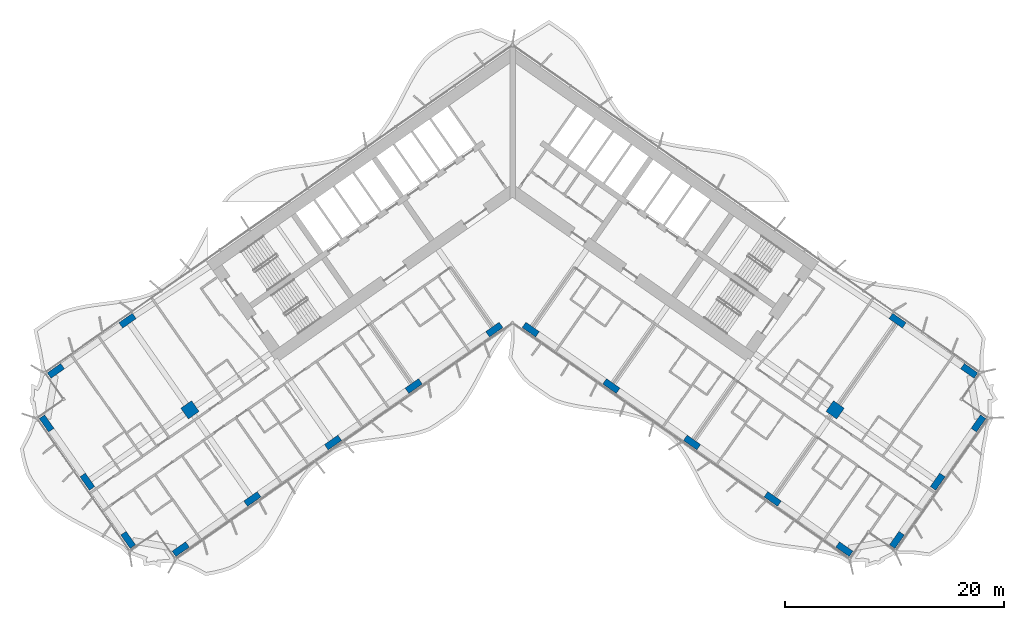
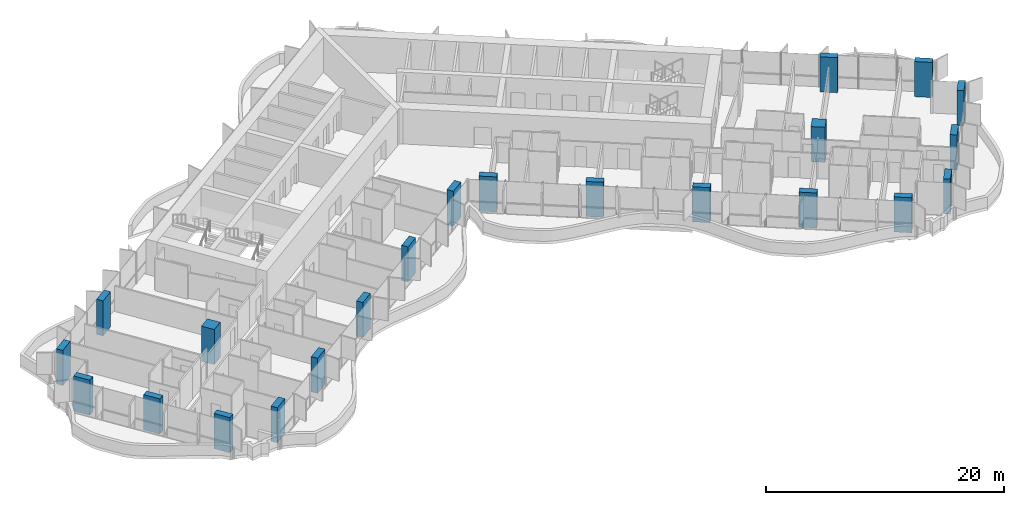
# One storey, part 1 of 25: 22 columns.
"""IFC4 building model written with IfcOpenShell, lengths in metres."""

import ifcopenshell
import ifcopenshell.guid

model = None  # the IFC model being written
_history = None  # IfcOwnerHistory: only IFC2X3 demands one
_inside = {}  # id of a spatial element -> (the spatial element, [elements in it])
_under = {}  # id of a project, library or spatial element -> (it, [spatial elements below it])
_declared = {}  # id of a project -> (the project, [libraries it declares])
_typed = {}  # id of a type object -> (the type object, [elements of that type])
_made_of = {}  # id of a material, layer set ... -> (it, [elements and type objects made of it])


def new_model(schema):
    """Start an empty IFC model of exactly this schema.

    Asked for "IFC4X3", IfcOpenShell would pick the latest addendum, in which some entities
    have other attributes; the version numbers below select the first issue.
    IFC2X3 requires an IfcOwnerHistory on every rooted entity: one is made here for all.
    """
    global model, _history
    if schema == "IFC4X3":
        model = ifcopenshell.file(schema_version=(4, 3, 0, 0))
    else:
        model = ifcopenshell.file(schema=schema)
    _inside.clear()
    _under.clear()
    _declared.clear()
    _typed.clear()
    _made_of.clear()
    _history = None
    if model.schema == "IFC2X3":
        org = make("IfcOrganization", Name="unknown")
        user = make(
            "IfcPersonAndOrganization",
            ThePerson=make("IfcPerson", FamilyName="unknown"),
            TheOrganization=org,
        )
        app = make(
            "IfcApplication",
            ApplicationDeveloper=org,
            Version="unknown",
            ApplicationFullName="unknown",
            ApplicationIdentifier="unknown",
        )
        _history = make(
            "IfcOwnerHistory",
            OwningUser=user,
            OwningApplication=app,
            ChangeAction="ADDED",
            CreationDate=0,
        )
    return model


def make(cls, **values):
    """One entity of the class cls with the attributes given. An attribute that is None is left unset."""
    return model.create_entity(
        cls, **{name: value for name, value in values.items() if value is not None}
    )


def rooted(cls, **values):
    """An entity with a GlobalId (a new one), such as an element, a storey or a relation."""
    return make(cls, GlobalId=ifcopenshell.guid.new(), OwnerHistory=_history, **values)


def si_unit(unit_type, name, prefix=None):
    """IfcSIUnit, for example si_unit("LENGTHUNIT", "METRE", prefix="MILLI")."""
    return make("IfcSIUnit", UnitType=unit_type, Prefix=prefix, Name=name)


def assignment(units):
    """IfcUnitAssignment: the units of a project."""
    return None if units is None else make("IfcUnitAssignment", Units=units)


def point(xyz):
    """IfcCartesianPoint."""
    return None if xyz is None else make("IfcCartesianPoint", Coordinates=xyz)


def direction(xyz):
    """IfcDirection."""
    return None if xyz is None else make("IfcDirection", DirectionRatios=xyz)


def frame(location, z_axis=None, x_axis=None):
    """IfcAxis2Placement3D, a coordinate frame: its origin and axes. An axis left out is left unset."""
    return make(
        "IfcAxis2Placement3D",
        Location=point(location),
        Axis=direction(z_axis),
        RefDirection=direction(x_axis),
    )


def frame_2d(location, x_axis=None):
    """IfcAxis2Placement2D, a coordinate frame in the plane: its origin and x axis."""
    return make(
        "IfcAxis2Placement2D", Location=point(location), RefDirection=direction(x_axis)
    )


def origin():
    """The frame at (0, 0, 0) with its axes left unset."""
    return frame((0.0, 0.0, 0.0))


def origin_2d():
    """The frame at (0, 0) in the plane with its x axis left unset."""
    return frame_2d((0.0, 0.0))


def place(relative_to, where):
    """IfcLocalPlacement: puts the frame where relative to a parent placement (None: the world)."""
    return make(
        "IfcLocalPlacement", PlacementRelTo=relative_to, RelativePlacement=where
    )


def context(
    kind, dimensions, precision=None, world=None, true_north=None, identifier=None
):
    """IfcGeometricRepresentationContext, for example the 3D "Model" context."""
    return make(
        "IfcGeometricRepresentationContext",
        ContextIdentifier=identifier,
        ContextType=kind,
        CoordinateSpaceDimension=dimensions,
        Precision=precision,
        WorldCoordinateSystem=world,
        TrueNorth=true_north,
    )


def subcontext(parent, identifier, kind, view, scale=None):
    """IfcGeometricRepresentationSubContext, for example "Body" below "Model"."""
    return make(
        "IfcGeometricRepresentationSubContext",
        ContextIdentifier=identifier,
        ContextType=kind,
        ParentContext=parent,
        TargetScale=scale,
        TargetView=view,
    )


def project(units=None, contexts=None):
    """IfcProject with its units and contexts."""
    return rooted(
        "IfcProject",
        Name="project",
        RepresentationContexts=contexts,
        UnitsInContext=assignment(units),
    )


def spatial(cls, under=None, at=None, **own):
    """A site, building, storey or space (cls), placed at a placement, below another one or the project."""
    s = rooted(cls, ObjectPlacement=at, **own)
    if under is not None:
        _under.setdefault(under.id(), (under, []))[1].append(s)
    return s


def profile(cls, at=None, kind="AREA", **sizes):
    """A parametric profile (cls). Its sizes go by their IFC names, for example OverallWidth=200.0."""
    return make(cls, ProfileType=kind, Position=at, **sizes)


def rectangle(**sizes):
    """IfcRectangleProfileDef."""
    return profile("IfcRectangleProfileDef", **sizes)


def extrude(swept, where, along, depth):
    """IfcExtrudedAreaSolid: the profile swept, set in the frame where, extruded along a direction by depth."""
    return make(
        "IfcExtrudedAreaSolid",
        SweptArea=swept,
        Position=where,
        ExtrudedDirection=direction(along),
        Depth=depth,
    )


def shape(context_of_items, identifier, shape_type, items):
    """IfcShapeRepresentation: the items that make up one representation, for example the "Body"."""
    return make(
        "IfcShapeRepresentation",
        ContextOfItems=context_of_items,
        RepresentationIdentifier=identifier,
        RepresentationType=shape_type,
        Items=items,
    )


def material(Name=None, Category=None):
    """IfcMaterial."""
    return make("IfcMaterial", Name=Name, Category=Category)


def material_profile(
    of_material, cross_section, Name=None, Category=None, Priority=None
):
    """IfcMaterialProfile: a cross section and its material."""
    return make(
        "IfcMaterialProfile",
        Name=Name,
        Material=of_material,
        Profile=cross_section,
        Priority=Priority,
        Category=Category,
    )


def profile_set(profiles, Name=None, composite=None):
    """IfcMaterialProfileSet."""
    return make(
        "IfcMaterialProfileSet",
        Name=Name,
        MaterialProfiles=profiles,
        CompositeProfile=composite,
    )


def made_of(thing, what):
    """Note that an element or type object is made of a material, layer set ...; save() writes the relation."""
    if what is not None:
        _made_of.setdefault(what.id(), (what, []))[1].append(thing)
    return thing


def type_object(cls, material=None, **own):
    """A type object (cls), such as IfcWallType, which elements share."""
    return made_of(rooted(cls, **own), material)


def element(
    cls,
    number,
    at=None,
    inside=None,
    cuts=None,
    type_object=None,
    material=None,
    context=None,
    identifier="Body",
    shape_type=None,
    held_by="IfcProductDefinitionShape",
    body=None,
    shapes=None,
    **own,
):
    """One element of the class cls, such as IfcWall. Its Tag is "e" and its number.

    at: its placement. inside: the storey or other place that contains it. cuts: it is an
    opening in that element (IfcRelVoidsElement). A single representation is given by context,
    identifier, shape_type and body (its items); several are given by shapes. held_by: the class
    of the entity that holds the representations. save() writes the other relations.
    """
    e = rooted(cls, Tag="e%d" % number, ObjectPlacement=at, **own)
    if body is not None:
        shapes = [shape(context, identifier, shape_type, body)]
    if shapes is not None:
        e.Representation = make(held_by, Representations=shapes)
    if inside is not None:
        _inside.setdefault(inside.id(), (inside, []))[1].append(e)
    if cuts is not None:
        rooted(
            "IfcRelVoidsElement", RelatingBuildingElement=cuts, RelatedOpeningElement=e
        )
    if type_object is not None:
        _typed.setdefault(type_object.id(), (type_object, []))[1].append(e)
    return made_of(e, material)


def aggregate(whole, parts):
    """IfcRelAggregates: a whole, such as a stair, and the parts it consists of."""
    return rooted("IfcRelAggregates", RelatingObject=whole, RelatedObjects=parts)


def save(model, path):
    """Write the relations noted so far, then the file.

    IfcRelAggregates (storeys below a building ...), IfcRelContainedInSpatialStructure (elements
    in a storey), IfcRelDefinesByType, IfcRelAssociatesMaterial and IfcRelDeclares: one each for
    every whole, place, type object, material and project.
    """
    for whole, parts in _under.values():
        aggregate(whole, parts)
    for where, things in _inside.values():
        rooted(
            "IfcRelContainedInSpatialStructure",
            RelatedElements=things,
            RelatingStructure=where,
        )
    for kind, things in _typed.values():
        rooted("IfcRelDefinesByType", RelatedObjects=things, RelatingType=kind)
    for what, things in _made_of.values():
        rooted("IfcRelAssociatesMaterial", RelatedObjects=things, RelatingMaterial=what)
    for by, libraries in _declared.values():
        rooted("IfcRelDeclares", RelatingContext=by, RelatedDefinitions=libraries)
    model.write(path)


model = new_model("IFC4")

# Units and contexts
model_context = context("Model", 3, precision=1e-05, world=origin(), true_north=direction((0.0, 1.0)))
body_context = subcontext(model_context, "Body", "Model", "MODEL_VIEW")
ifc_project = project(units=[si_unit("LENGTHUNIT", "METRE"), si_unit("AREAUNIT", "SQUARE_METRE"), si_unit("VOLUMEUNIT", "CUBIC_METRE"), si_unit("PLANEANGLEUNIT", "RADIAN"), si_unit("MASSUNIT", "GRAM", prefix="KILO")], contexts=[model_context])

# Site, building, storey
site_placement = place(None, origin())
site = spatial("IfcSite", under=ifc_project, at=site_placement, CompositionType="ELEMENT")
building_placement = place(site_placement, origin())
building = spatial("IfcBuilding", under=site, at=building_placement, Name="Tel Ilan Convention Tower", CompositionType="ELEMENT")
storey_placement = place(building_placement, frame((0.0, 0.0, 54.5)))
storey = spatial("IfcBuildingStorey", under=building, at=storey_placement, Name="L08", CompositionType="ELEMENT", Elevation=54.5)

# Columns
ifc_material_1 = material(Name="Concrete C60/75", Category="concrete")
ifc_material_profile_1 = material_profile(ifc_material_1, rectangle(XDim=1.199951171875, YDim=1.199951171875, at=origin_2d()), Name="RC 1200x1200")
ifc_profile_set_1 = profile_set([ifc_material_profile_1], Name="Concrete C60/75")
column_type_1 = type_object("IfcColumnType", Name="Column RC 1200x1200 C60/75", PredefinedType="COLUMN", material=ifc_profile_set_1)
for number, where, z_axis, x_axis, name in (
    (1, (-29.489501953125, -20.648681640625, 0.0), (0.0, 0.0, 1.0), (-0.819152044289, -0.573576436351, 0.0), "L08 column W-M4"),
    (2, (29.489501953125, -20.648681640625, 0.0), (0.0, 0.0, 1.0), (0.819152044289, -0.573576436351, 0.0), "L08 column E-M4"),
):
    element("IfcColumn", number, at=place(storey_placement, frame(where, z_axis=z_axis, x_axis=x_axis)), inside=storey, type_object=column_type_1, Name=name, PredefinedType="COLUMN", context=body_context, shape_type="SweptSolid", body=[
        extrude(rectangle(XDim=1.199951171875, YDim=1.199951171875, at=origin_2d()), origin(), (0.0, 0.0, 1.0), 3.60009765625),
    ])
ifc_material_2 = material(Name="Concrete C60/75", Category="concrete")
ifc_material_profile_2 = material_profile(ifc_material_2, rectangle(XDim=1.5, YDim=0.60009765625, at=origin_2d()), Name="RC 600x1500")
ifc_profile_set_2 = profile_set([ifc_material_profile_2], Name="Concrete C60/75")
column_type_2 = type_object("IfcColumnType", Name="Column RC 600x1500 C60/75", PredefinedType="COLUMN", material=ifc_profile_set_2)
for number, where, z_axis, x_axis, name in (
    (3, (-1.665283203125, -13.312744140625, 0.0), (0.0, 0.0, 1.0), (-0.819152044289, -0.573576436351, 0.0), "L08 column W-F1"),
    (4, (-9.03759765625, -18.474853515625, 0.0), (0.0, 0.0, 1.0), (-0.819152044289, -0.573576436351, 0.0), "L08 column W-F2"),
    (5, (-16.409912109375, -23.63720703125, 0.0), (0.0, 0.0, 1.0), (-0.819152044289, -0.573576436351, 0.0), "L08 column W-F3"),
    (6, (-23.782470703125, -28.79931640625, 0.0), (0.0, 0.0, 1.0), (-0.819152044289, -0.573576436351, 0.0), "L08 column W-F4"),
    (7, (-30.335693359375, -33.387939453125, 0.0), (0.0, 0.0, 1.0), (-0.819152044289, -0.573576436351, 0.0), "L08 column W-FC"),
    (8, (-35.196533203125, -12.498291015625, 0.0), (0.0, 0.0, 1.0), (-0.819152044289, -0.573576436351, 0.0), "L08 column W-B4"),
    (9, (-41.749755859375, -17.0869140625, 0.0), (0.0, 0.0, 1.0), (-0.819152044289, -0.573576436351, 0.0), "L08 column W-BC"),
    (10, (-35.140380859375, -32.540771484375, 0.0), (0.0, 0.0, 1.0), (-0.573576436351, 0.819152044289, 0.0), "L08 column W-E1"),
    (11, (-38.868896484375, -27.21630859375, 0.0), (0.0, 0.0, 1.0), (-0.573576436351, 0.819152044289, 0.0), "L08 column W-E2"),
    (12, (-42.596923828125, -21.8916015625, 0.0), (0.0, 0.0, 1.0), (-0.573576436351, 0.819152044289, 0.0), "L08 column W-E3"),
    (13, (1.665283203125, -13.312744140625, 0.0), (0.0, 0.0, 1.0), (0.819152044289, -0.573576436351, 0.0), "L08 column E-F1"),
    (14, (9.03759765625, -18.474853515625, 0.0), (0.0, 0.0, 1.0), (0.819152044289, -0.573576436351, 0.0), "L08 column E-F2"),
    (15, (16.409912109375, -23.63720703125, 0.0), (0.0, 0.0, 1.0), (0.819152044289, -0.573576436351, 0.0), "L08 column E-F3"),
    (16, (23.782470703125, -28.79931640625, 0.0), (0.0, 0.0, 1.0), (0.819152044289, -0.573576436351, 0.0), "L08 column E-F4"),
    (17, (30.335693359375, -33.387939453125, 0.0), (0.0, 0.0, 1.0), (0.819152044289, -0.573576436351, 0.0), "L08 column E-FC"),
    (18, (35.196533203125, -12.498291015625, 0.0), (0.0, 0.0, 1.0), (0.819152044289, -0.573576436351, 0.0), "L08 column E-B4"),
    (19, (41.749755859375, -17.0869140625, 0.0), (0.0, 0.0, 1.0), (0.819152044289, -0.573576436351, 0.0), "L08 column E-BC"),
    (20, (35.140380859375, -32.540771484375, 0.0), (0.0, 0.0, 1.0), (0.573576436351, 0.819152044289, 0.0), "L08 column E-E1"),
    (21, (38.868896484375, -27.21630859375, 0.0), (0.0, 0.0, 1.0), (0.573576436351, 0.819152044289, 0.0), "L08 column E-E2"),
    (22, (42.596923828125, -21.8916015625, 0.0), (0.0, 0.0, 1.0), (0.573576436351, 0.819152044289, 0.0), "L08 column E-E3"),
):
    element("IfcColumn", number, at=place(storey_placement, frame(where, z_axis=z_axis, x_axis=x_axis)), inside=storey, type_object=column_type_2, Name=name, PredefinedType="COLUMN", context=body_context, shape_type="SweptSolid", body=[
        extrude(rectangle(XDim=1.5, YDim=0.60009765625, at=origin_2d()), origin(), (0.0, 0.0, 1.0), 3.60009765625),
    ])

save(model, "model.ifc")
